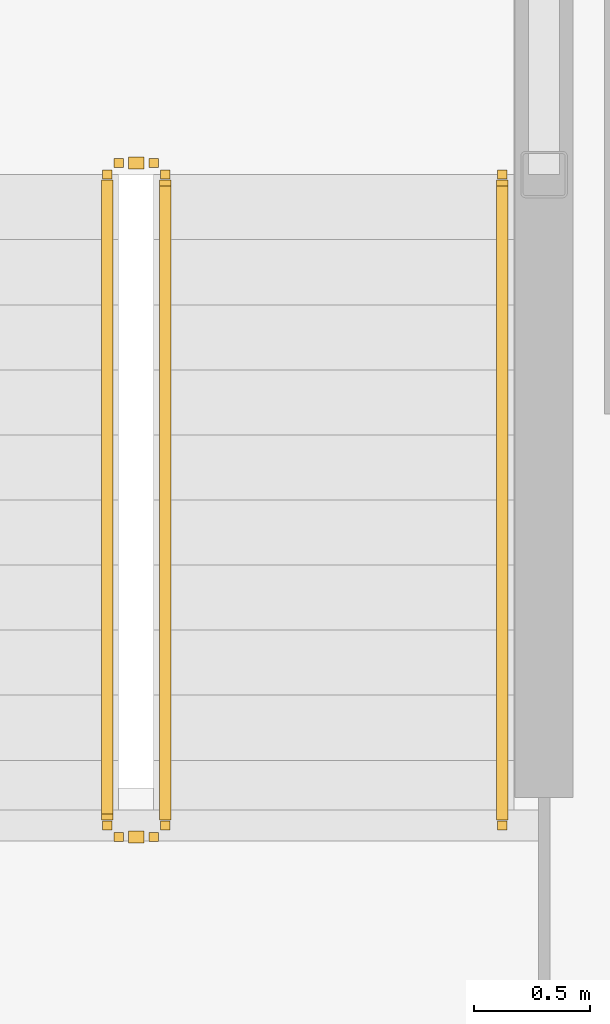
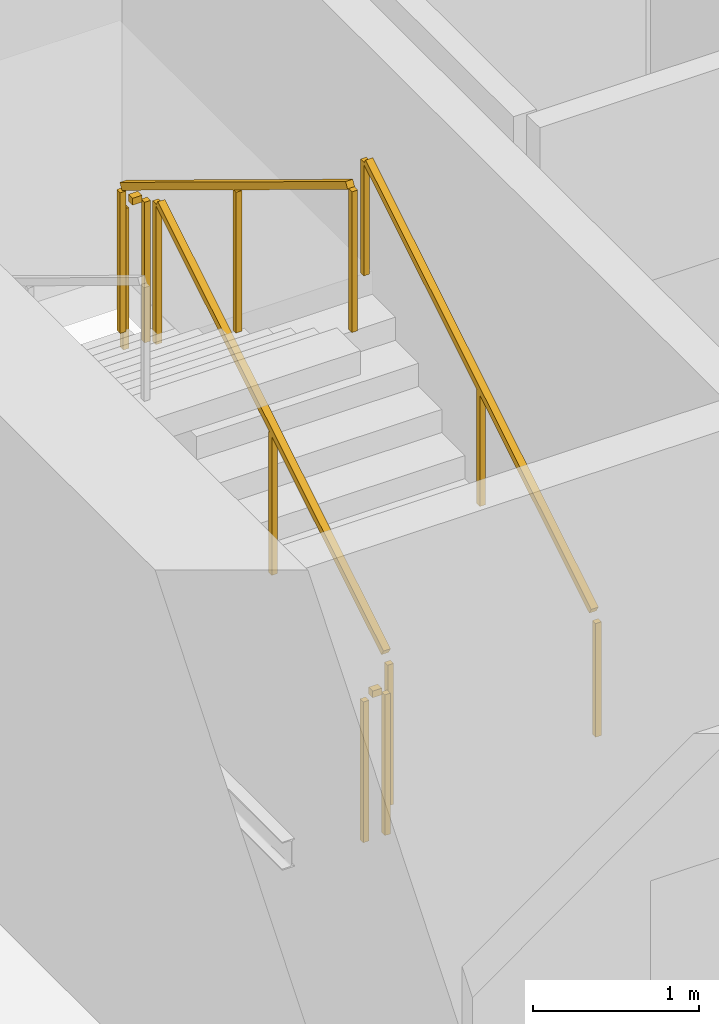
# One storey, part 17 of 20: 5 railings.
"""IFC4 building model written with IfcOpenShell, lengths in metres."""

from ifc_helpers import new_model, si_unit, direction, frame, origin, origin_2d, place, context, subcontext, project, spatial, rectangle, extrude, material, type_object, element, save


model = new_model("IFC4")

# Units and contexts
model_context = context("Model", 3, precision=1e-05, world=origin(), true_north=direction((0.0, 1.0)))
body_context = subcontext(model_context, "Body", "Model", "MODEL_VIEW")
ifc_project = project(units=[si_unit("LENGTHUNIT", "METRE"), si_unit("AREAUNIT", "SQUARE_METRE"), si_unit("VOLUMEUNIT", "CUBIC_METRE"), si_unit("PLANEANGLEUNIT", "RADIAN"), si_unit("MASSUNIT", "GRAM", prefix="KILO")], contexts=[model_context])

# Site, building, storey
site_placement = place(None, origin())
site = spatial("IfcSite", under=ifc_project, at=site_placement, CompositionType="ELEMENT")
building_placement = place(site_placement, origin())
building = spatial("IfcBuilding", under=site, at=building_placement, Name="Kazma Halo Residences", CompositionType="ELEMENT")
storey_placement = place(building_placement, frame((0.0, 0.0, 157.800048828125)))
storey = spatial("IfcBuildingStorey", under=building, at=storey_placement, Name="L39", CompositionType="ELEMENT", Elevation=157.800048828125)

# Railings
ifc_material_1 = material(Name="Painted Steel S355", Category="steel")
railing_type_1 = type_object("IfcRailingType", Name="RLG-STAIR-GRD-1100", PredefinedType="GUARDRAIL", material=ifc_material_1)
railing_1_placement = place(storey_placement, frame((39.550048828125, 39.949951171875, 0.17041015625)))
element("IfcRailing", 1, at=railing_1_placement, inside=storey, type_object=railing_type_1, Name="L39 ST-01 stair guard 1", PredefinedType="GUARDRAIL", context=body_context, shape_type="SweptSolid", body=[
    extrude(rectangle(XDim=0.050048828125, YDim=0.050048828125, at=origin_2d()), frame((0.0, 0.036376953125, 1.09716796875), z_axis=(0.0, 0.854169791009, 0.51999420009), x_axis=(-1.0, 0.0, 0.0)), (0.0, 0.0, 1.0), 3.193115234375),
    extrude(rectangle(XDim=0.0400390625, YDim=0.0400390625, at=origin_2d()), origin(), (0.0, 0.0, 1.0), 1.0380859375),
    extrude(rectangle(XDim=0.0400390625, YDim=0.0400390625, at=origin_2d()), frame((0.0, 1.39990234375, 0.852294921875)), (0.0, 0.0, 1.0), 1.0380859375),
    extrude(rectangle(XDim=0.0400390625, YDim=0.0400390625, at=origin_2d()), frame((0.0, 2.800048828125, 1.70458984375)), (0.0, 0.0, 1.0), 1.0380859375),
])
railing_2_placement = place(storey_placement, frame((39.5, 42.800048828125, 1.875)))
element("IfcRailing", 2, at=railing_2_placement, inside=storey, type_object=railing_type_1, Name="L39 ST-01 stair guard 2", PredefinedType="GUARDRAIL", context=body_context, shape_type="SweptSolid", body=[
    extrude(rectangle(XDim=0.050048828125, YDim=0.050048828125, at=origin_2d()), frame((-0.04248046875, 0.0, 1.0751953125), z_axis=(-1.0, 0.0, 0.0), x_axis=(0.0, -1.0, 0.0)), (0.0, 0.0, 1.0), 0.06494140625),
    extrude(rectangle(XDim=0.0400390625, YDim=0.0400390625, at=origin_2d()), origin(), (0.0, 0.0, 1.0), 1.0380859375),
    extrude(rectangle(XDim=0.0400390625, YDim=0.0400390625, at=origin_2d()), frame((-0.14990234375, 0.0, 0.0)), (0.0, 0.0, 1.0), 1.0380859375),
])
railing_3_placement = place(storey_placement, frame((39.300048828125, 42.75, 2.04541015625)))
element("IfcRailing", 3, at=railing_3_placement, inside=storey, type_object=railing_type_1, Name="L39 ST-01 stair guard 3", PredefinedType="GUARDRAIL", context=body_context, shape_type="SweptSolid", body=[
    extrude(rectangle(XDim=0.050048828125, YDim=0.050048828125, at=origin_2d()), frame((0.0, -0.036376953125, 1.09716796875), z_axis=(0.0, -0.854169791009, 0.51999420009), x_axis=(1.0, 0.0, 0.0)), (0.0, 0.0, 1.0), 3.193115234375),
    extrude(rectangle(XDim=0.0400390625, YDim=0.0400390625, at=origin_2d()), origin(), (0.0, 0.0, 1.0), 1.0380859375),
    extrude(rectangle(XDim=0.0400390625, YDim=0.0400390625, at=origin_2d()), frame((0.0, -1.39990234375, 0.852294921875)), (0.0, 0.0, 1.0), 1.0380859375),
    extrude(rectangle(XDim=0.0400390625, YDim=0.0400390625, at=origin_2d()), frame((0.0, -2.800048828125, 1.70458984375)), (0.0, 0.0, 1.0), 1.0380859375),
])
railing_4_placement = place(storey_placement, frame((39.5, 39.89990234375, 0.0)))
element("IfcRailing", 4, at=railing_4_placement, inside=storey, type_object=railing_type_1, Name="L39 ST-01 stair guard 4", PredefinedType="GUARDRAIL", context=body_context, shape_type="SweptSolid", body=[
    extrude(rectangle(XDim=0.050048828125, YDim=0.050048828125, at=origin_2d()), frame((-0.04248046875, 0.0, 1.0751953125), z_axis=(-1.0, 0.0, 0.0), x_axis=(0.0, -1.0, 0.0)), (0.0, 0.0, 1.0), 0.06494140625),
    extrude(rectangle(XDim=0.0400390625, YDim=0.0400390625, at=origin_2d()), origin(), (0.0, 0.0, 1.0), 1.0380859375),
    extrude(rectangle(XDim=0.0400390625, YDim=0.0400390625, at=origin_2d()), frame((-0.14990234375, 0.0, 0.0)), (0.0, 0.0, 1.0), 1.0380859375),
])
ifc_material_2 = material(Name="Brushed Stainless Steel", Category="steel")
railing_type_2 = type_object("IfcRailingType", Name="RLG-STAIR-HND-900", PredefinedType="HANDRAIL", material=ifc_material_2)
railing_5_placement = place(storey_placement, frame((41.0, 39.949951171875, 0.17041015625)))
element("IfcRailing", 5, at=railing_5_placement, inside=storey, type_object=railing_type_2, Name="L39 ST-01 stair handrail 1", PredefinedType="HANDRAIL", context=body_context, shape_type="SweptSolid", body=[
    extrude(rectangle(XDim=0.050048828125, YDim=0.050048828125, at=origin_2d()), frame((0.0, 0.036376953125, 0.89697265625), z_axis=(0.0, 0.854169791009, 0.51999420009), x_axis=(-1.0, 0.0, 0.0)), (0.0, 0.0, 1.0), 3.193115234375),
    extrude(rectangle(XDim=0.0400390625, YDim=0.0400390625, at=origin_2d()), origin(), (0.0, 0.0, 1.0), 0.837890625),
    extrude(rectangle(XDim=0.0400390625, YDim=0.0400390625, at=origin_2d()), frame((0.0, 1.39990234375, 0.852294921875)), (0.0, 0.0, 1.0), 0.837890625),
    extrude(rectangle(XDim=0.0400390625, YDim=0.0400390625, at=origin_2d()), frame((0.0, 2.800048828125, 1.70458984375)), (0.0, 0.0, 1.0), 0.837890625),
])

save(model, "model.ifc")
